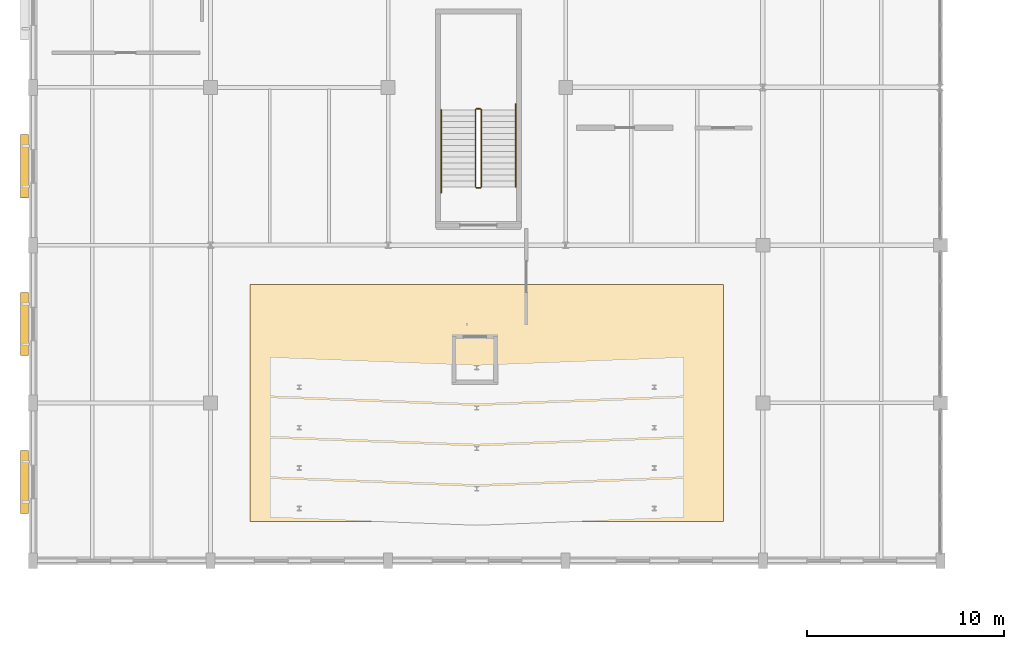
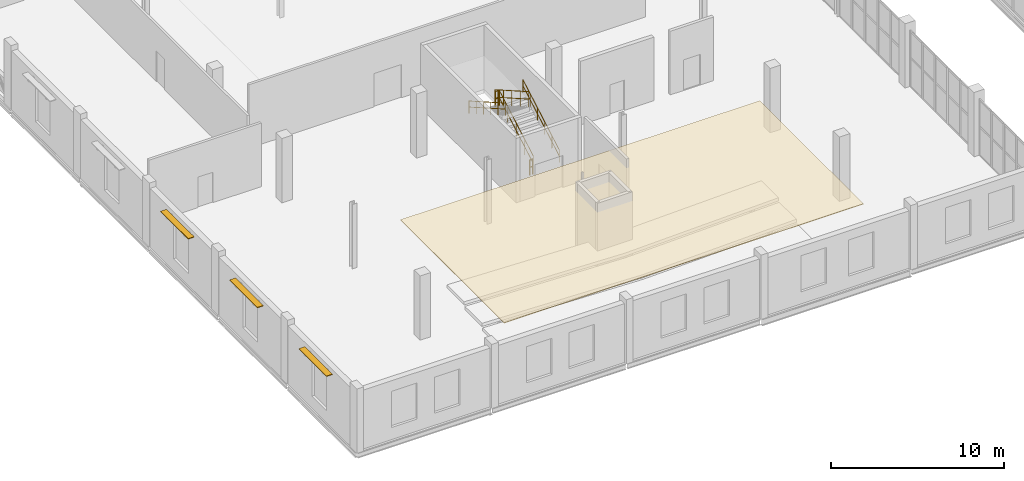
# One storey, part 82 of 93: 6 railings, 3 shading devices, 1 covering.
"""IFC4 building model written with IfcOpenShell, lengths in metres."""

from ifc_helpers import new_model, si_unit, direction, frame, origin, origin_2d, place, context, subcontext, project, spatial, polyline, rectangle, circle, outline, extrude, material, layer, layer_set, type_object, element, save


model = new_model("IFC4")

# Units and contexts
model_context = context("Model", 3, precision=1e-05, world=origin(), true_north=direction((0.0, 1.0)))
body_context = subcontext(model_context, "Body", "Model", "MODEL_VIEW")
ifc_project = project(units=[si_unit("LENGTHUNIT", "METRE"), si_unit("AREAUNIT", "SQUARE_METRE"), si_unit("VOLUMEUNIT", "CUBIC_METRE"), si_unit("PLANEANGLEUNIT", "RADIAN"), si_unit("MASSUNIT", "GRAM", prefix="KILO")], contexts=[model_context])

# Site, building, storey
site_placement = place(None, origin())
site = spatial("IfcSite", under=ifc_project, at=site_placement, CompositionType="ELEMENT")
building_placement = place(site_placement, origin())
building = spatial("IfcBuilding", under=site, at=building_placement, Name="Marnock Terrace Opera House", CompositionType="ELEMENT")
storey_placement = place(building_placement, frame((0.0, 0.0, 5.39990234375)))
storey = spatial("IfcBuildingStorey", under=building, at=storey_placement, Name="L01", CompositionType="ELEMENT", Elevation=5.39990234375)

# Covering
ifc_material_1 = material(Name="Perforated Tasmanian oak acoustic ceiling reflector")
ifc_layer_1 = layer(ifc_material_1, 0.044921875)
ifc_layer_set_1 = layer_set([ifc_layer_1], Name="Perforated Tasmanian oak acoustic ceiling reflector")
covering_type = type_object("IfcCoveringType", Name="COV-CEIL-OAK", PredefinedType="CEILING", material=ifc_layer_set_1)
covering_placement = place(storey_placement, frame((0.0, 0.0, 3.800048828125)))
element("IfcCovering", 1, at=covering_placement, inside=storey, type_object=covering_type, Name="L01 acoustic reflector ceiling CLG-CHAMBER-01", PredefinedType="CEILING", context=body_context, shape_type="SweptSolid", body=[
    extrude(outline(polyline([(11.0, 10.0), (35.0, 10.0), (35.0, 22.0), (11.0, 22.0), (11.0, 10.0)])), origin(), (0.0, 0.0, 1.0), 0.045166015625),
])

# Railings
ifc_material_2 = material(Name="Architectural bronze balustrade")
railing_type_1 = type_object("IfcRailingType", Name="RL-GUARD-1100", PredefinedType="GUARDRAIL", material=ifc_material_2)
railing_1_placement = place(storey_placement, frame((22.72998046875, 26.9599609375, 0.171630859375)))
element("IfcRailing", 2, at=railing_1_placement, inside=storey, type_object=railing_type_1, Name="L01 ST-05 stair guard 1", PredefinedType="GUARDRAIL", context=body_context, shape_type="SweptSolid", body=[
    extrude(circle(Radius=0.02392578125, at=origin_2d()), frame((0.0, 0.0, 1.076171875), z_axis=(0.0, 0.868256520506, 0.496115525457), x_axis=(-1.0, 0.0, 0.0)), (0.0, 0.0, 1.0), 4.491943359375),
    extrude(circle(Radius=0.02392578125, at=origin_2d()), frame((0.0, 0.0, 0.550048828125), z_axis=(0.0, 0.868256520506, 0.496115525457), x_axis=(-1.0, 0.0, 0.0)), (0.0, 0.0, 1.0), 4.491943359375),
    extrude(circle(Radius=0.02099609375, at=origin_2d()), origin(), (0.0, 0.0, 1.0), 1.052001953125),
    extrude(circle(Radius=0.02099609375, at=origin_2d()), frame((0.0, 0.97509765625, 0.55712890625)), (0.0, 0.0, 1.0), 1.052001953125),
    extrude(circle(Radius=0.02099609375, at=origin_2d()), frame((0.0, 1.9501953125, 1.1142578125)), (0.0, 0.0, 1.0), 1.052001953125),
    extrude(circle(Radius=0.02099609375, at=origin_2d()), frame((0.0, 2.925048828125, 1.67138671875)), (0.0, 0.0, 1.0), 1.052001953125),
    extrude(circle(Radius=0.02099609375, at=origin_2d()), frame((0.0, 3.900146484375, 2.228515625)), (0.0, 0.0, 1.0), 1.052001953125),
])
railing_2_placement = place(storey_placement, frame((22.679931640625, 30.909912109375, 2.400146484375)))
element("IfcRailing", 3, at=railing_2_placement, inside=storey, type_object=railing_type_1, Name="L01 ST-05 stair guard 2", PredefinedType="GUARDRAIL", context=body_context, shape_type="SweptSolid", body=[
    extrude(circle(Radius=0.02392578125, at=origin_2d()), frame((0.0, 0.0, 1.076171875), z_axis=(-1.0, 0.0, 0.0), x_axis=(0.0, -1.0, 0.0)), (0.0, 0.0, 1.0), 0.199951171875),
    extrude(circle(Radius=0.02392578125, at=origin_2d()), frame((0.0, 0.0, 0.550048828125), z_axis=(-1.0, 0.0, 0.0), x_axis=(0.0, -1.0, 0.0)), (0.0, 0.0, 1.0), 0.199951171875),
    extrude(circle(Radius=0.02099609375, at=origin_2d()), origin(), (0.0, 0.0, 1.0), 1.052001953125),
    extrude(circle(Radius=0.02099609375, at=origin_2d()), frame((-0.199951171875, 0.0, 0.0)), (0.0, 0.0, 1.0), 1.052001953125),
])
railing_3_placement = place(storey_placement, frame((22.429931640625, 30.860107421875, 2.571533203125)))
element("IfcRailing", 4, at=railing_3_placement, inside=storey, type_object=railing_type_1, Name="L01 ST-05 stair guard 3", PredefinedType="GUARDRAIL", context=body_context, shape_type="SweptSolid", body=[
    extrude(circle(Radius=0.02392578125, at=origin_2d()), frame((0.0, 0.0, 1.076171875), z_axis=(0.0, -0.868256520506, 0.496115525457), x_axis=(1.0, 0.0, 0.0)), (0.0, 0.0, 1.0), 4.491943359375),
    extrude(circle(Radius=0.02392578125, at=origin_2d()), frame((0.0, 0.0, 0.550048828125), z_axis=(0.0, -0.868256520506, 0.496115525457), x_axis=(1.0, 0.0, 0.0)), (0.0, 0.0, 1.0), 4.491943359375),
    extrude(circle(Radius=0.02099609375, at=origin_2d()), origin(), (0.0, 0.0, 1.0), 1.052001953125),
    extrude(circle(Radius=0.02099609375, at=origin_2d()), frame((0.0, -0.97509765625, 0.55712890625)), (0.0, 0.0, 1.0), 1.052001953125),
    extrude(circle(Radius=0.02099609375, at=origin_2d()), frame((0.0, -1.9501953125, 1.1142578125)), (0.0, 0.0, 1.0), 1.052001953125),
    extrude(circle(Radius=0.02099609375, at=origin_2d()), frame((0.0, -2.925048828125, 1.67138671875)), (0.0, 0.0, 1.0), 1.052001953125),
    extrude(circle(Radius=0.02099609375, at=origin_2d()), frame((0.0, -3.900146484375, 2.228515625)), (0.0, 0.0, 1.0), 1.052001953125),
])
railing_4_placement = place(storey_placement, frame((22.679931640625, 26.909912109375, 0.0)))
element("IfcRailing", 5, at=railing_4_placement, inside=storey, type_object=railing_type_1, Name="L01 ST-05 stair guard 4", PredefinedType="GUARDRAIL", context=body_context, shape_type="SweptSolid", body=[
    extrude(circle(Radius=0.02392578125, at=origin_2d()), frame((0.0, 0.0, 1.076171875), z_axis=(-1.0, 0.0, 0.0), x_axis=(0.0, -1.0, 0.0)), (0.0, 0.0, 1.0), 0.199951171875),
    extrude(circle(Radius=0.02392578125, at=origin_2d()), frame((0.0, 0.0, 0.550048828125), z_axis=(-1.0, 0.0, 0.0), x_axis=(0.0, -1.0, 0.0)), (0.0, 0.0, 1.0), 0.199951171875),
    extrude(circle(Radius=0.02099609375, at=origin_2d()), origin(), (0.0, 0.0, 1.0), 1.052001953125),
    extrude(circle(Radius=0.02099609375, at=origin_2d()), frame((-0.199951171875, 0.0, 0.0)), (0.0, 0.0, 1.0), 1.052001953125),
])
railing_type_2 = type_object("IfcRailingType", Name="RL-HAND-900", PredefinedType="HANDRAIL", material=ifc_material_2)
railing_5_placement = place(storey_placement, frame((24.469970703125, 26.9599609375, 0.18359375)))
element("IfcRailing", 6, at=railing_5_placement, inside=storey, type_object=railing_type_2, Name="L01 ST-05 stair handrail 1", PredefinedType="HANDRAIL", context=body_context, shape_type="SweptSolid", body=[
    extrude(circle(Radius=0.02392578125, at=origin_2d()), frame((0.0, 0.0, 0.8759765625), z_axis=(0.0, 0.868249353848, 0.496128067682), x_axis=(-1.0, 0.0, 0.0)), (0.0, 0.0, 1.0), 4.837158203125),
    extrude(circle(Radius=0.02392578125, at=origin_2d()), frame((0.0, 0.0, 0.449951171875), z_axis=(0.0, 0.868249353848, 0.496128067682), x_axis=(-1.0, 0.0, 0.0)), (0.0, 0.0, 1.0), 4.837158203125),
    extrude(circle(Radius=0.02099609375, at=origin_2d()), origin(), (0.0, 0.0, 1.0), 0.851806640625),
    extrude(circle(Radius=0.02099609375, at=origin_2d()), frame((0.0, 0.840087890625, 0.47998046875)), (0.0, 0.0, 1.0), 0.851806640625),
    extrude(circle(Radius=0.02099609375, at=origin_2d()), frame((0.0, 1.679931640625, 0.9599609375)), (0.0, 0.0, 1.0), 0.851806640625),
    extrude(circle(Radius=0.02099609375, at=origin_2d()), frame((0.0, 2.52001953125, 1.43994140625)), (0.0, 0.0, 1.0), 0.851806640625),
    extrude(circle(Radius=0.02099609375, at=origin_2d()), frame((0.0, 3.35986328125, 1.919921875)), (0.0, 0.0, 1.0), 0.851806640625),
    extrude(circle(Radius=0.02099609375, at=origin_2d()), frame((0.0, 4.199951171875, 2.39990234375)), (0.0, 0.0, 1.0), 0.851806640625),
])
railing_6_placement = place(storey_placement, frame((20.68994140625, 30.860107421875, 2.58349609375)))
element("IfcRailing", 7, at=railing_6_placement, inside=storey, type_object=railing_type_2, Name="L01 ST-05 stair handrail 2", PredefinedType="HANDRAIL", context=body_context, shape_type="SweptSolid", body=[
    extrude(circle(Radius=0.02392578125, at=origin_2d()), frame((0.0, 0.0, 0.8759765625), z_axis=(0.0, -0.868240036425, 0.496144373291), x_axis=(1.0, 0.0, 0.0)), (0.0, 0.0, 1.0), 4.837646484375),
    extrude(circle(Radius=0.02392578125, at=origin_2d()), frame((0.0, 0.0, 0.449951171875), z_axis=(0.0, -0.868240036425, 0.496144373291), x_axis=(1.0, 0.0, 0.0)), (0.0, 0.0, 1.0), 4.837646484375),
    extrude(circle(Radius=0.02099609375, at=origin_2d()), origin(), (0.0, 0.0, 1.0), 0.851806640625),
    extrude(circle(Radius=0.02099609375, at=origin_2d()), frame((0.0, -0.840087890625, 0.47998046875)), (0.0, 0.0, 1.0), 0.851806640625),
    extrude(circle(Radius=0.02099609375, at=origin_2d()), frame((0.0, -1.68017578125, 0.9599609375)), (0.0, 0.0, 1.0), 0.851806640625),
    extrude(circle(Radius=0.02099609375, at=origin_2d()), frame((0.0, -2.52001953125, 1.440185546875)), (0.0, 0.0, 1.0), 0.851806640625),
    extrude(circle(Radius=0.02099609375, at=origin_2d()), frame((0.0, -3.360107421875, 1.920166015625)), (0.0, 0.0, 1.0), 0.851806640625),
    extrude(circle(Radius=0.02099609375, at=origin_2d()), frame((0.0, -4.2001953125, 2.400146484375)), (0.0, 0.0, 1.0), 0.851806640625),
])

# Shading devices
ifc_material_3 = material(Name="Architectural cast bronze")
ifc_layer_2 = layer(ifc_material_3, 0.050048828125)
ifc_layer_set_2 = layer_set([ifc_layer_2], Name="Architectural cast bronze")
shading_device_type = type_object("IfcShadingDeviceType", Name="SHD-LOUVRE-3200", PredefinedType="JALOUSIE", material=ifc_layer_set_2)
for number, where, z_axis, x_axis, name in (
    (8, (-0.43505859375, 12.0, 3.8564453125), (0.0, 0.0, 1.0), (0.0, 1.0, 0.0), "Adelaide sun-control bronze brise-soleil EW-V3W-L01-1"),
    (9, (-0.43505859375, 20.0, 3.8564453125), (0.0, 0.0, 1.0), (0.0, 1.0, 0.0), "Adelaide sun-control bronze brise-soleil EW-V3W-L01-2"),
    (10, (-0.43505859375, 28.0, 3.8564453125), (0.0, 0.0, 1.0), (0.0, 1.0, 0.0), "Adelaide sun-control bronze brise-soleil EW-V3W-L01-3"),
):
    element("IfcShadingDevice", number, at=place(storey_placement, frame(where, z_axis=z_axis, x_axis=x_axis)), inside=storey, type_object=shading_device_type, Name=name, PredefinedType="JALOUSIE", context=body_context, shape_type="SweptSolid", body=[
        extrude(rectangle(XDim=3.199951171875, YDim=0.39990234375, at=origin_2d()), origin(), (0.0, 0.0, 1.0), 0.050048828125),
    ])

save(model, "model.ifc")
